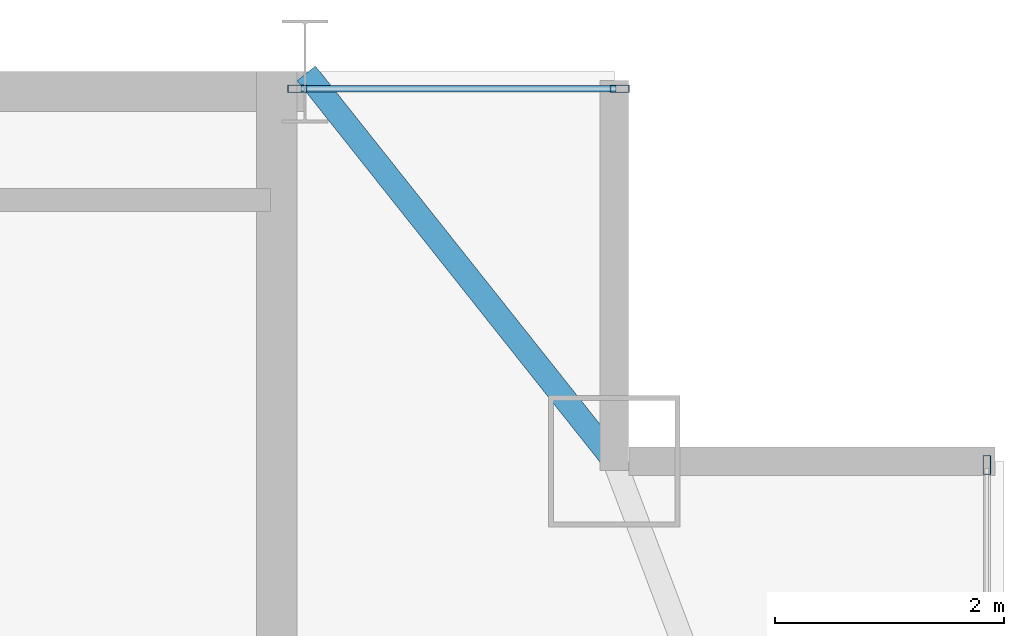
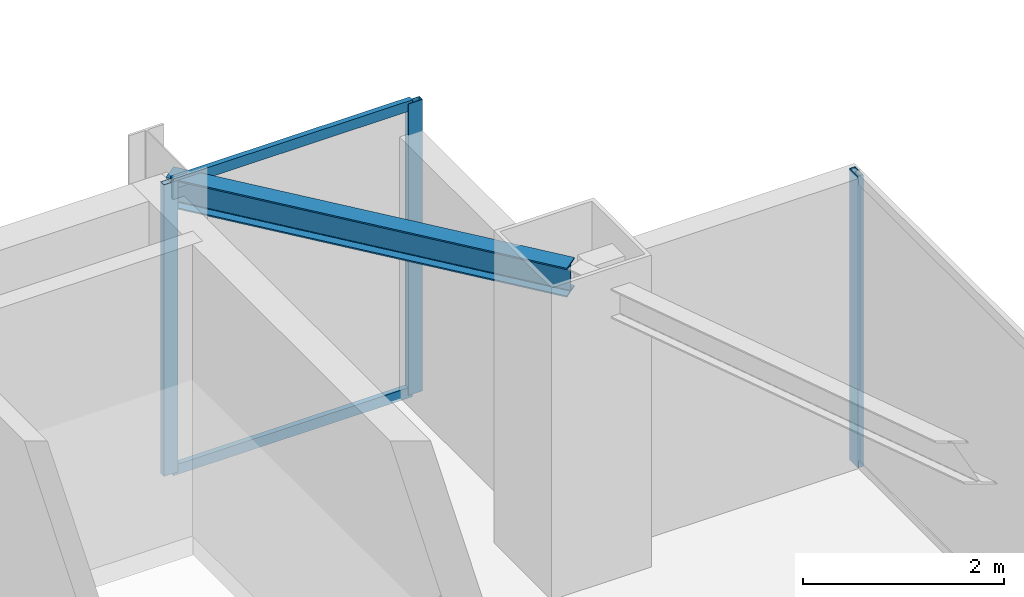
# One storey, part 23 of 31: 5 members, 1 beam, 2 elements without a shape of their own.
"""IFC4 building model written with IfcOpenShell, lengths in metres."""

import ifcopenshell
import ifcopenshell.guid

model = None  # the IFC model being written
_history = None  # IfcOwnerHistory: only IFC2X3 demands one
_inside = {}  # id of a spatial element -> (the spatial element, [elements in it])
_under = {}  # id of a project, library or spatial element -> (it, [spatial elements below it])
_declared = {}  # id of a project -> (the project, [libraries it declares])
_typed = {}  # id of a type object -> (the type object, [elements of that type])
_made_of = {}  # id of a material, layer set ... -> (it, [elements and type objects made of it])


def new_model(schema):
    """Start an empty IFC model of exactly this schema.

    Asked for "IFC4X3", IfcOpenShell would pick the latest addendum, in which some entities
    have other attributes; the version numbers below select the first issue.
    IFC2X3 requires an IfcOwnerHistory on every rooted entity: one is made here for all.
    """
    global model, _history
    if schema == "IFC4X3":
        model = ifcopenshell.file(schema_version=(4, 3, 0, 0))
    else:
        model = ifcopenshell.file(schema=schema)
    _inside.clear()
    _under.clear()
    _declared.clear()
    _typed.clear()
    _made_of.clear()
    _history = None
    if model.schema == "IFC2X3":
        org = make("IfcOrganization", Name="unknown")
        user = make(
            "IfcPersonAndOrganization",
            ThePerson=make("IfcPerson", FamilyName="unknown"),
            TheOrganization=org,
        )
        app = make(
            "IfcApplication",
            ApplicationDeveloper=org,
            Version="unknown",
            ApplicationFullName="unknown",
            ApplicationIdentifier="unknown",
        )
        _history = make(
            "IfcOwnerHistory",
            OwningUser=user,
            OwningApplication=app,
            ChangeAction="ADDED",
            CreationDate=0,
        )
    return model


def make(cls, **values):
    """One entity of the class cls with the attributes given. An attribute that is None is left unset."""
    return model.create_entity(
        cls, **{name: value for name, value in values.items() if value is not None}
    )


def rooted(cls, **values):
    """An entity with a GlobalId (a new one), such as an element, a storey or a relation."""
    return make(cls, GlobalId=ifcopenshell.guid.new(), OwnerHistory=_history, **values)


def si_unit(unit_type, name, prefix=None):
    """IfcSIUnit, for example si_unit("LENGTHUNIT", "METRE", prefix="MILLI")."""
    return make("IfcSIUnit", UnitType=unit_type, Prefix=prefix, Name=name)


def assignment(units):
    """IfcUnitAssignment: the units of a project."""
    return None if units is None else make("IfcUnitAssignment", Units=units)


def point(xyz):
    """IfcCartesianPoint."""
    return None if xyz is None else make("IfcCartesianPoint", Coordinates=xyz)


def direction(xyz):
    """IfcDirection."""
    return None if xyz is None else make("IfcDirection", DirectionRatios=xyz)


def frame(location, z_axis=None, x_axis=None):
    """IfcAxis2Placement3D, a coordinate frame: its origin and axes. An axis left out is left unset."""
    return make(
        "IfcAxis2Placement3D",
        Location=point(location),
        Axis=direction(z_axis),
        RefDirection=direction(x_axis),
    )


def frame_2d(location, x_axis=None):
    """IfcAxis2Placement2D, a coordinate frame in the plane: its origin and x axis."""
    return make(
        "IfcAxis2Placement2D", Location=point(location), RefDirection=direction(x_axis)
    )


def origin():
    """The frame at (0, 0, 0) with its axes left unset."""
    return frame((0.0, 0.0, 0.0))


def origin_2d():
    """The frame at (0, 0) in the plane with its x axis left unset."""
    return frame_2d((0.0, 0.0))


def place(relative_to, where):
    """IfcLocalPlacement: puts the frame where relative to a parent placement (None: the world)."""
    return make(
        "IfcLocalPlacement", PlacementRelTo=relative_to, RelativePlacement=where
    )


def context(
    kind, dimensions, precision=None, world=None, true_north=None, identifier=None
):
    """IfcGeometricRepresentationContext, for example the 3D "Model" context."""
    return make(
        "IfcGeometricRepresentationContext",
        ContextIdentifier=identifier,
        ContextType=kind,
        CoordinateSpaceDimension=dimensions,
        Precision=precision,
        WorldCoordinateSystem=world,
        TrueNorth=true_north,
    )


def subcontext(parent, identifier, kind, view, scale=None):
    """IfcGeometricRepresentationSubContext, for example "Body" below "Model"."""
    return make(
        "IfcGeometricRepresentationSubContext",
        ContextIdentifier=identifier,
        ContextType=kind,
        ParentContext=parent,
        TargetScale=scale,
        TargetView=view,
    )


def project(units=None, contexts=None):
    """IfcProject with its units and contexts."""
    return rooted(
        "IfcProject",
        Name="project",
        RepresentationContexts=contexts,
        UnitsInContext=assignment(units),
    )


def spatial(cls, under=None, at=None, **own):
    """A site, building, storey or space (cls), placed at a placement, below another one or the project."""
    s = rooted(cls, ObjectPlacement=at, **own)
    if under is not None:
        _under.setdefault(under.id(), (under, []))[1].append(s)
    return s


def profile(cls, at=None, kind="AREA", **sizes):
    """A parametric profile (cls). Its sizes go by their IFC names, for example OverallWidth=200.0."""
    return make(cls, ProfileType=kind, Position=at, **sizes)


def hollow_rectangle(**sizes):
    """IfcRectangleHollowProfileDef."""
    return profile("IfcRectangleHollowProfileDef", **sizes)


def i_section(**sizes):
    """IfcIShapeProfileDef."""
    return profile("IfcIShapeProfileDef", **sizes)


def extrude(swept, where, along, depth):
    """IfcExtrudedAreaSolid: the profile swept, set in the frame where, extruded along a direction by depth."""
    return make(
        "IfcExtrudedAreaSolid",
        SweptArea=swept,
        Position=where,
        ExtrudedDirection=direction(along),
        Depth=depth,
    )


def shape(context_of_items, identifier, shape_type, items):
    """IfcShapeRepresentation: the items that make up one representation, for example the "Body"."""
    return make(
        "IfcShapeRepresentation",
        ContextOfItems=context_of_items,
        RepresentationIdentifier=identifier,
        RepresentationType=shape_type,
        Items=items,
    )


def source(mapping_origin, context_of_items, identifier, shape_type, items):
    """IfcRepresentationMap: a shape defined once, which mapped items show again and again."""
    return make(
        "IfcRepresentationMap",
        MappingOrigin=mapping_origin,
        MappedRepresentation=shape(context_of_items, identifier, shape_type, items),
    )


def transform(
    local_origin,
    x_axis=None,
    y_axis=None,
    z_axis=None,
    scale=None,
    scale2=None,
    scale3=None,
    uniform=True,
):
    """IfcCartesianTransformationOperator3D, or its non-uniform kind. x_axis, y_axis, z_axis: its Axis1, 2, 3."""
    if uniform:
        return make(
            "IfcCartesianTransformationOperator3D",
            Axis1=direction(x_axis),
            Axis2=direction(y_axis),
            LocalOrigin=point(local_origin),
            Scale=scale,
            Axis3=direction(z_axis),
        )
    return make(
        "IfcCartesianTransformationOperator3DnonUniform",
        Axis1=direction(x_axis),
        Axis2=direction(y_axis),
        LocalOrigin=point(local_origin),
        Scale=scale,
        Axis3=direction(z_axis),
        Scale2=scale2,
        Scale3=scale3,
    )


def mapped(mapping_source, mapping_target):
    """IfcMappedItem: shows the shape of a source again, moved by a transform."""
    return make(
        "IfcMappedItem", MappingSource=mapping_source, MappingTarget=mapping_target
    )


def material(Name=None, Category=None):
    """IfcMaterial."""
    return make("IfcMaterial", Name=Name, Category=Category)


def layer(
    of_material, thickness, ventilated=None, Name=None, Category=None, Priority=None
):
    """IfcMaterialLayer: one layer of a wall or slab, of a material (None: an air gap)."""
    return make(
        "IfcMaterialLayer",
        Material=of_material,
        LayerThickness=thickness,
        IsVentilated=ventilated,
        Name=Name,
        Category=Category,
        Priority=Priority,
    )


def layer_set(layers, Name=None):
    """IfcMaterialLayerSet."""
    return make("IfcMaterialLayerSet", MaterialLayers=layers, LayerSetName=Name)


def material_profile(
    of_material, cross_section, Name=None, Category=None, Priority=None
):
    """IfcMaterialProfile: a cross section and its material."""
    return make(
        "IfcMaterialProfile",
        Name=Name,
        Material=of_material,
        Profile=cross_section,
        Priority=Priority,
        Category=Category,
    )


def profile_set(profiles, Name=None, composite=None):
    """IfcMaterialProfileSet."""
    return make(
        "IfcMaterialProfileSet",
        Name=Name,
        MaterialProfiles=profiles,
        CompositeProfile=composite,
    )


def made_of(thing, what):
    """Note that an element or type object is made of a material, layer set ...; save() writes the relation."""
    if what is not None:
        _made_of.setdefault(what.id(), (what, []))[1].append(thing)
    return thing


def type_object(cls, material=None, **own):
    """A type object (cls), such as IfcWallType, which elements share."""
    return made_of(rooted(cls, **own), material)


def type_shapes(of_type, sources):
    """Give a type object the sources (RepresentationMaps) that its elements show as mapped items."""
    of_type.RepresentationMaps = sources


def element(
    cls,
    number,
    at=None,
    inside=None,
    cuts=None,
    type_object=None,
    material=None,
    context=None,
    identifier="Body",
    shape_type=None,
    held_by="IfcProductDefinitionShape",
    body=None,
    shapes=None,
    **own,
):
    """One element of the class cls, such as IfcWall. Its Tag is "e" and its number.

    at: its placement. inside: the storey or other place that contains it. cuts: it is an
    opening in that element (IfcRelVoidsElement). A single representation is given by context,
    identifier, shape_type and body (its items); several are given by shapes. held_by: the class
    of the entity that holds the representations. save() writes the other relations.
    """
    e = rooted(cls, Tag="e%d" % number, ObjectPlacement=at, **own)
    if body is not None:
        shapes = [shape(context, identifier, shape_type, body)]
    if shapes is not None:
        e.Representation = make(held_by, Representations=shapes)
    if inside is not None:
        _inside.setdefault(inside.id(), (inside, []))[1].append(e)
    if cuts is not None:
        rooted(
            "IfcRelVoidsElement", RelatingBuildingElement=cuts, RelatedOpeningElement=e
        )
    if type_object is not None:
        _typed.setdefault(type_object.id(), (type_object, []))[1].append(e)
    return made_of(e, material)


def aggregate(whole, parts):
    """IfcRelAggregates: a whole, such as a stair, and the parts it consists of."""
    return rooted("IfcRelAggregates", RelatingObject=whole, RelatedObjects=parts)


def save(model, path):
    """Write the relations noted so far, then the file.

    IfcRelAggregates (storeys below a building ...), IfcRelContainedInSpatialStructure (elements
    in a storey), IfcRelDefinesByType, IfcRelAssociatesMaterial and IfcRelDeclares: one each for
    every whole, place, type object, material and project.
    """
    for whole, parts in _under.values():
        aggregate(whole, parts)
    for where, things in _inside.values():
        rooted(
            "IfcRelContainedInSpatialStructure",
            RelatedElements=things,
            RelatingStructure=where,
        )
    for kind, things in _typed.values():
        rooted("IfcRelDefinesByType", RelatedObjects=things, RelatingType=kind)
    for what, things in _made_of.values():
        rooted("IfcRelAssociatesMaterial", RelatedObjects=things, RelatingMaterial=what)
    for by, libraries in _declared.values():
        rooted("IfcRelDeclares", RelatingContext=by, RelatedDefinitions=libraries)
    model.write(path)


model = new_model("IFC4")

# Units and contexts
model_context = context("Model", 3, precision=1e-05, world=origin(), true_north=direction((0.0, 1.0)))
body_context = subcontext(model_context, "Body", "Model", "MODEL_VIEW")
ifc_project = project(units=[si_unit("LENGTHUNIT", "METRE"), si_unit("AREAUNIT", "SQUARE_METRE"), si_unit("VOLUMEUNIT", "CUBIC_METRE"), si_unit("PLANEANGLEUNIT", "RADIAN"), si_unit("MASSUNIT", "GRAM", prefix="KILO")], contexts=[model_context])

# Site, building, storey
site_placement = place(None, origin())
site = spatial("IfcSite", under=ifc_project, at=site_placement, CompositionType="ELEMENT")
building_placement = place(site_placement, origin())
building = spatial("IfcBuilding", under=site, at=building_placement, Name="Varnel Quay Broadcast Tower", CompositionType="ELEMENT")
storey_placement = place(building_placement, frame((0.0, 0.0, 215.0)))
storey = spatial("IfcBuildingStorey", under=building, at=storey_placement, Name="L53", CompositionType="ELEMENT", Elevation=215.0)

# Beam
ifc_material_1 = material(Name="Structural Steel CSA G40.21 350W", Category="steel")
ifc_material_profile_1 = material_profile(ifc_material_1, i_section(OverallWidth=0.205078125, OverallDepth=0.35400390625, WebThickness=0.009521484375, FlangeThickness=0.016845703125, FilletRadius=0.012939453125, at=origin_2d()), Name="W360X79")
ifc_profile_set_1 = profile_set([ifc_material_profile_1], Name="Structural Steel CSA G40.21 350W")
beam_type = type_object("IfcBeamType", Name="Beam_W360X79", PredefinedType="SPANDREL", material=ifc_profile_set_1)
shared_shape_1 = source(origin(), body_context, "Body", "SweptSolid", [
    extrude(i_section(OverallWidth=0.205078125, OverallDepth=0.35400390625, WebThickness=0.009521484375, FlangeThickness=0.016845703125, FilletRadius=0.012939453125, at=origin_2d()), origin(), (0.0, 0.0, 1.0), 4.301513671875),
])
type_shapes(beam_type, [shared_shape_1])
beam_placement = place(storey_placement, frame((52.412353515625, 46.7841796875, 3.373046875), z_axis=(0.621936399401, -0.783067758946, 0.0), x_axis=(0.783067758946, 0.621936399401, 0.0)))
element("IfcBeam", 1, at=beam_placement, inside=storey, type_object=beam_type, Name="L53 NE Tie Spandrel", PredefinedType="SPANDREL", context=body_context, shape_type="MappedRepresentation", body=[
    mapped(shared_shape_1, transform((0.0, 0.0, 0.0), x_axis=(1.0, 0.0, 0.0), y_axis=(0.0, 1.0, 0.0), z_axis=(0.0, 0.0, 1.0), scale=1.0)),
])

# Curtain wall, member
ifc_material_2 = material(Name="Anodised Bronze Aluminium 6063-T6", Category="aluminium")
ifc_layer = layer(ifc_material_2, 0.18994140625, Name="Anodised Bronze Aluminium 6063-T6")
ifc_layer_set = layer_set([ifc_layer], Name="Anodised Bronze Aluminium 6063-T6")
curtain_wall_type = type_object("IfcCurtainWallType", Name="CW_UpperTower", PredefinedType="NOTDEFINED", material=ifc_layer_set)
curtain_wall_1_placement = place(storey_placement, origin())
curtain_wall_1 = element("IfcCurtainWall", 2, at=curtain_wall_1_placement, inside=storey, type_object=curtain_wall_type, Name="L53 East Unitised Curtain Wall", PredefinedType="NOTDEFINED")
ifc_material_profile_2 = material_profile(ifc_material_2, hollow_rectangle(XDim=0.06494140625, YDim=0.1650390625, WallThickness=0.00341796875, at=origin_2d()), Name="ALU65X165X3.5")
ifc_profile_set_2 = profile_set([ifc_material_profile_2], Name="Anodised Bronze Aluminium 6063-T6")
member_type_1 = type_object("IfcMemberType", Name="Mull_CWS-03", PredefinedType="MULLION", material=ifc_profile_set_2)
shared_shape_2 = source(origin(), body_context, "Body", "SweptSolid", [
    extrude(hollow_rectangle(XDim=0.06494140625, YDim=0.1650390625, WallThickness=0.00341796875, at=origin_2d()), origin(), (0.0, 0.0, 1.0), 3.550048828125),
])
type_shapes(member_type_1, [shared_shape_2])
member_1_placement = place(storey_placement, frame((58.35009765625, 43.367431640625, 0.0), z_axis=(0.0, 0.0, 1.0), x_axis=(-1.0, 0.0, 0.0)))
member_1 = element("IfcMember", 3, at=member_1_placement, type_object=member_type_1, Name="CWS-03 mullion 3", PredefinedType="MULLION", context=body_context, shape_type="MappedRepresentation", body=[
    mapped(shared_shape_2, transform((0.0, 0.0, 0.0), x_axis=(1.0, 0.0, 0.0), y_axis=(0.0, 1.0, 0.0), z_axis=(0.0, 0.0, 1.0), scale=1.0)),
])
aggregate(curtain_wall_1, [member_1])

# Curtain wall, members
curtain_wall_2_placement = place(storey_placement, origin())
curtain_wall_2 = element("IfcCurtainWall", 4, at=curtain_wall_2_placement, inside=storey, type_object=curtain_wall_type, Name="L53 NE Wing Curtain Wall", PredefinedType="NOTDEFINED")
member_2_placement = place(storey_placement, frame((52.33251953125, 46.64990234375, 0.0), z_axis=(0.0, 0.0, 1.0), x_axis=(0.0, 1.0, 0.0)))
member_2 = element("IfcMember", 5, at=member_2_placement, type_object=member_type_1, Name="CWS-03 mullion 1", PredefinedType="MULLION", context=body_context, shape_type="MappedRepresentation", body=[
    mapped(shared_shape_2, transform((0.0, 0.0, 0.0), x_axis=(1.0, 0.0, 0.0), y_axis=(0.0, 1.0, 0.0), z_axis=(0.0, 0.0, 1.0), scale=1.0)),
])
member_3_placement = place(storey_placement, frame((55.1474609375, 46.64990234375, 0.0), z_axis=(0.0, 0.0, 1.0), x_axis=(0.0, 1.0, 0.0)))
member_3 = element("IfcMember", 6, at=member_3_placement, type_object=member_type_1, Name="CWS-03 mullion 2", PredefinedType="MULLION", context=body_context, shape_type="MappedRepresentation", body=[
    mapped(shared_shape_2, transform((0.0, 0.0, 0.0), x_axis=(1.0, 0.0, 0.0), y_axis=(0.0, 1.0, 0.0), z_axis=(0.0, 0.0, 1.0), scale=1.0)),
])
ifc_material_profile_3 = material_profile(ifc_material_2, hollow_rectangle(XDim=0.06005859375, YDim=0.125, WallThickness=0.0029296875, at=origin_2d()), Name="ALU60X125X3")
ifc_profile_set_3 = profile_set([ifc_material_profile_3], Name="Anodised Bronze Aluminium 6063-T6")
member_type_2 = type_object("IfcMemberType", Name="Tran_CWS-03", PredefinedType="USERDEFINED", material=ifc_profile_set_3)
shared_shape_3 = source(origin(), body_context, "Body", "SweptSolid", [
    extrude(hollow_rectangle(XDim=0.06005859375, YDim=0.125, WallThickness=0.0029296875, at=origin_2d()), origin(), (0.0, 0.0, 1.0), 2.75),
])
type_shapes(member_type_2, [shared_shape_3])
member_4_placement = place(storey_placement, frame((52.364990234375, 46.64990234375, 0.030029296875), z_axis=(1.0, 0.0, 0.0), x_axis=(0.0, 1.0, 0.0)))
member_4 = element("IfcMember", 7, at=member_4_placement, type_object=member_type_2, Name="CWS-03 transom 1.1", ObjectType="TRANSOM", PredefinedType="USERDEFINED", context=body_context, shape_type="MappedRepresentation", body=[
    mapped(shared_shape_3, transform((0.0, 0.0, 0.0), x_axis=(1.0, 0.0, 0.0), y_axis=(0.0, 1.0, 0.0), z_axis=(0.0, 0.0, 1.0), scale=1.0)),
])
member_5_placement = place(storey_placement, frame((52.364990234375, 46.64990234375, 3.52001953125), z_axis=(1.0, 0.0, 0.0), x_axis=(0.0, 1.0, 0.0)))
member_5 = element("IfcMember", 8, at=member_5_placement, type_object=member_type_2, Name="CWS-03 transom 1.2", ObjectType="TRANSOM", PredefinedType="USERDEFINED", context=body_context, shape_type="MappedRepresentation", body=[
    mapped(shared_shape_3, transform((0.0, 0.0, 0.0), x_axis=(1.0, 0.0, 0.0), y_axis=(0.0, 1.0, 0.0), z_axis=(0.0, 0.0, 1.0), scale=1.0)),
])
aggregate(curtain_wall_2, [member_2, member_3, member_4, member_5])

save(model, "model.ifc")
